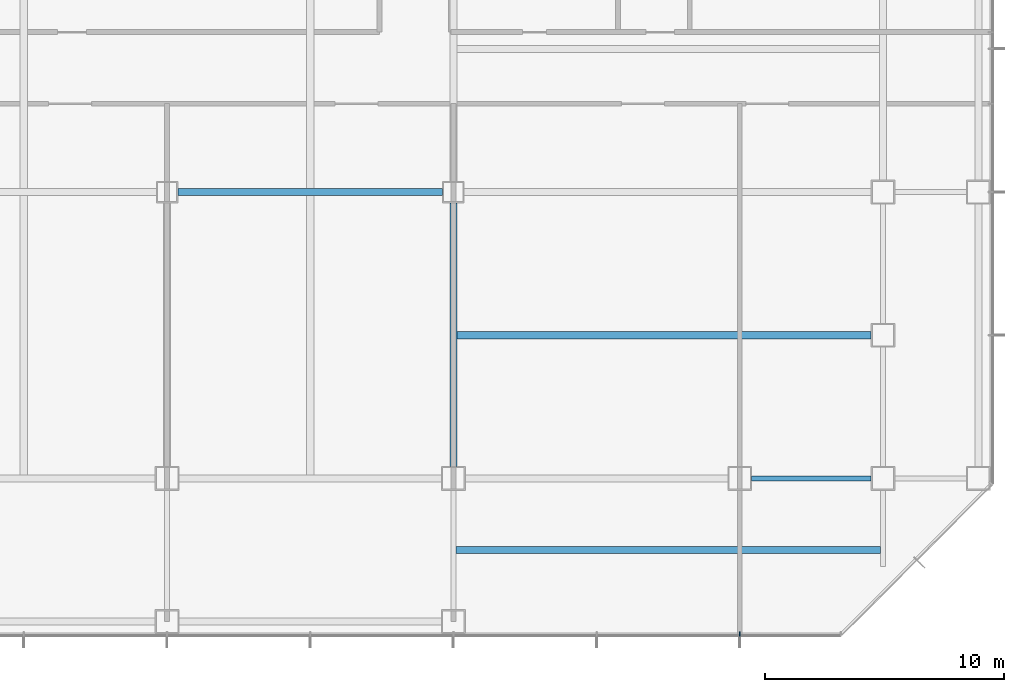
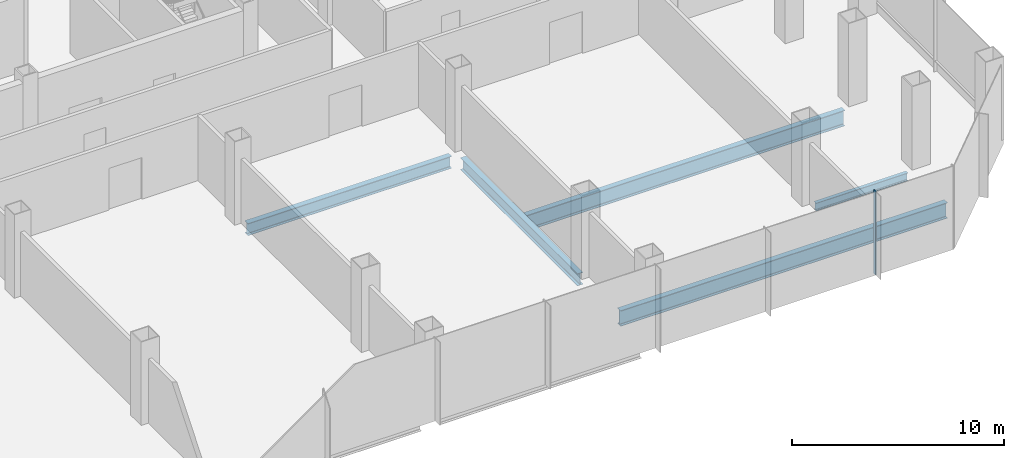
# One storey, part 9 of 33: 5 beams, 1 member, 1 element without a shape of its own.
"""IFC4 building model written with IfcOpenShell, lengths in metres."""

from ifc_helpers import new_model, si_unit, direction, frame, origin, origin_2d, place, context, subcontext, project, spatial, rectangle, i_section, extrude, material, material_profile, profile_set, type_object, element, aggregate, save


model = new_model("IFC4")

# Units and contexts
model_context = context("Model", 3, precision=1e-05, world=origin(), true_north=direction((0.0, 1.0)))
body_context = subcontext(model_context, "Body", "Model", "MODEL_VIEW")
ifc_project = project(units=[si_unit("LENGTHUNIT", "METRE"), si_unit("AREAUNIT", "SQUARE_METRE"), si_unit("VOLUMEUNIT", "CUBIC_METRE"), si_unit("PLANEANGLEUNIT", "RADIAN"), si_unit("MASSUNIT", "GRAM", prefix="KILO")], contexts=[model_context])

# Site, building, storey
site_placement = place(None, origin())
site = spatial("IfcSite", under=ifc_project, at=site_placement, CompositionType="ELEMENT")
building_placement = place(site_placement, origin())
building = spatial("IfcBuilding", under=site, at=building_placement, Name="Sorahane Residences", CompositionType="ELEMENT")
storey_placement = place(building_placement, frame((0.0, 0.0, 25.199951171875)))
storey = spatial("IfcBuildingStorey", under=building, at=storey_placement, Name="L03", CompositionType="ELEMENT", Elevation=25.199951171875)

# Curtain wall, member
ifc_material_1 = material(Name="Dark low-e glass and black anodised aluminium", Category="aluminium")
curtain_wall_type = type_object("IfcCurtainWallType", Name="Curtain wall CW-3 Podium unitised wall", PredefinedType="NOTDEFINED", material=ifc_material_1)
curtain_wall_placement = place(storey_placement, origin())
curtain_wall = element("IfcCurtainWall", 1, at=curtain_wall_placement, inside=storey, type_object=curtain_wall_type, Name="CW-3 curtain wall L03 S1", PredefinedType="NOTDEFINED")
ifc_material_2 = material(Name="Black anodised aluminium", Category="aluminium")
ifc_material_profile_1 = material_profile(ifc_material_2, rectangle(XDim=0.199951171875, YDim=0.050048828125, at=origin_2d()), Name="Curtain wall mullion CW-3 black anodised aluminium 50x200")
ifc_profile_set_1 = profile_set([ifc_material_profile_1], Name="Black anodised aluminium")
member_type = type_object("IfcMemberType", Name="Curtain wall mullion CW-3 black anodised aluminium 50x200", PredefinedType="MULLION", material=ifc_profile_set_1)
member_placement = place(storey_placement, frame((60.0, -6.52001953125, -0.39990234375), z_axis=(0.0, 0.0, 1.0), x_axis=(0.0, -1.0, 0.0)))
member = element("IfcMember", 2, at=member_placement, type_object=member_type, Name="CW-3 mullion L03 S1.10", PredefinedType="MULLION", context=body_context, shape_type="SweptSolid", body=[
    extrude(rectangle(XDim=0.199951171875, YDim=0.050048828125, at=origin_2d()), origin(), (0.0, 0.0, 1.0), 4.800048828125),
])
aggregate(curtain_wall, [member])

# Beams
ifc_material_3 = material(Name="Steel Q355B", Category="steel")
ifc_material_profile_2 = material_profile(ifc_material_3, i_section(OverallWidth=0.199951171875, OverallDepth=0.449951171875, WebThickness=0.009033203125, FlangeThickness=0.013916015625, FilletRadius=0.02001953125, at=origin_2d()), Name="HN 450x200x9x14")
ifc_profile_set_2 = profile_set([ifc_material_profile_2], Name="Steel Q355B")
beam_type_1 = type_object("IfcBeamType", Name="Steel floor beam HN 450x200x9x14 Q355B", PredefinedType="BEAM", material=ifc_profile_set_2)
beam_1_placement = place(storey_placement, frame((60.5, 0.0, -0.625), z_axis=(1.0, 0.0, 0.0), x_axis=(0.0, 1.0, 0.0)))
element("IfcBeam", 3, at=beam_1_placement, inside=storey, type_object=beam_type_1, Name="Beam L03 006", PredefinedType="BEAM", context=body_context, shape_type="SweptSolid", body=[
    extrude(i_section(OverallWidth=0.199951171875, OverallDepth=0.449951171875, WebThickness=0.009033203125, FlangeThickness=0.013916015625, FilletRadius=0.02001953125, at=origin_2d()), origin(), (0.0, 0.0, 1.0), 5.0),
])
ifc_material_4 = material(Name="Steel Q355B", Category="steel")
ifc_material_profile_3 = material_profile(ifc_material_4, i_section(OverallWidth=0.300048828125, OverallDepth=0.699951171875, WebThickness=0.012939453125, FlangeThickness=0.02392578125, FilletRadius=0.028076171875, at=origin_2d()), Name="HN 700x300x13x24")
ifc_profile_set_3 = profile_set([ifc_material_profile_3], Name="Steel Q355B")
beam_type_2 = type_object("IfcBeamType", Name="Steel floor beam HN 700x300x13x24 Q355B", PredefinedType="BEAM", material=ifc_profile_set_3)
beam_2_placement = place(storey_placement, frame((36.449951171875, 12.0, -0.75), z_axis=(1.0, 0.0, 0.0), x_axis=(0.0, 1.0, 0.0)))
element("IfcBeam", 4, at=beam_2_placement, inside=storey, type_object=beam_type_2, Name="Beam L03 011", PredefinedType="BEAM", context=body_context, shape_type="SweptSolid", body=[
    extrude(i_section(OverallWidth=0.300048828125, OverallDepth=0.699951171875, WebThickness=0.012939453125, FlangeThickness=0.02392578125, FilletRadius=0.028076171875, at=origin_2d()), origin(), (0.0, 0.0, 1.0), 11.10009765625),
])
beam_3_placement = place(storey_placement, frame((48.0, 0.5, -0.75), z_axis=(0.0, 1.0, 0.0), x_axis=(-1.0, 0.0, 0.0)))
element("IfcBeam", 5, at=beam_3_placement, inside=storey, type_object=beam_type_2, Name="Beam L03 063", PredefinedType="BEAM", context=body_context, shape_type="SweptSolid", body=[
    extrude(i_section(OverallWidth=0.300048828125, OverallDepth=0.699951171875, WebThickness=0.012939453125, FlangeThickness=0.02392578125, FilletRadius=0.028076171875, at=origin_2d()), origin(), (0.0, 0.0, 1.0), 11.050048828125),
])
ifc_material_5 = material(Name="Steel Q355B", Category="steel")
ifc_material_profile_4 = material_profile(ifc_material_5, i_section(OverallWidth=0.300048828125, OverallDepth=0.89990234375, WebThickness=0.01611328125, FlangeThickness=0.028076171875, FilletRadius=0.028076171875, at=origin_2d()), Name="HN 900x300x16x28")
ifc_profile_set_4 = profile_set([ifc_material_profile_4], Name="Steel Q355B")
beam_type_3 = type_object("IfcBeamType", Name="Steel floor beam HN 900x300x16x28 Q355B", PredefinedType="BEAM", material=ifc_profile_set_4)
beam_4_placement = place(storey_placement, frame((48.150146484375, 6.0, -0.849853515625), z_axis=(1.0, 0.0, 0.0), x_axis=(0.0, 1.0, 0.0)))
element("IfcBeam", 6, at=beam_4_placement, inside=storey, type_object=beam_type_3, Name="Beam L03 083", PredefinedType="BEAM", context=body_context, shape_type="SweptSolid", body=[
    extrude(i_section(OverallWidth=0.300048828125, OverallDepth=0.89990234375, WebThickness=0.01611328125, FlangeThickness=0.028076171875, FilletRadius=0.028076171875, at=origin_2d()), origin(), (0.0, 0.0, 1.0), 17.349609375),
])
beam_5_placement = place(storey_placement, frame((48.10009765625, -3.0, -0.849853515625), z_axis=(1.0, 0.0, 0.0), x_axis=(0.0, 1.0, 0.0)))
element("IfcBeam", 7, at=beam_5_placement, inside=storey, type_object=beam_type_3, Name="Beam L03 088", PredefinedType="BEAM", context=body_context, shape_type="SweptSolid", body=[
    extrude(i_section(OverallWidth=0.300048828125, OverallDepth=0.89990234375, WebThickness=0.01611328125, FlangeThickness=0.028076171875, FilletRadius=0.028076171875, at=origin_2d()), origin(), (0.0, 0.0, 1.0), 17.7998046875),
])

save(model, "model.ifc")
